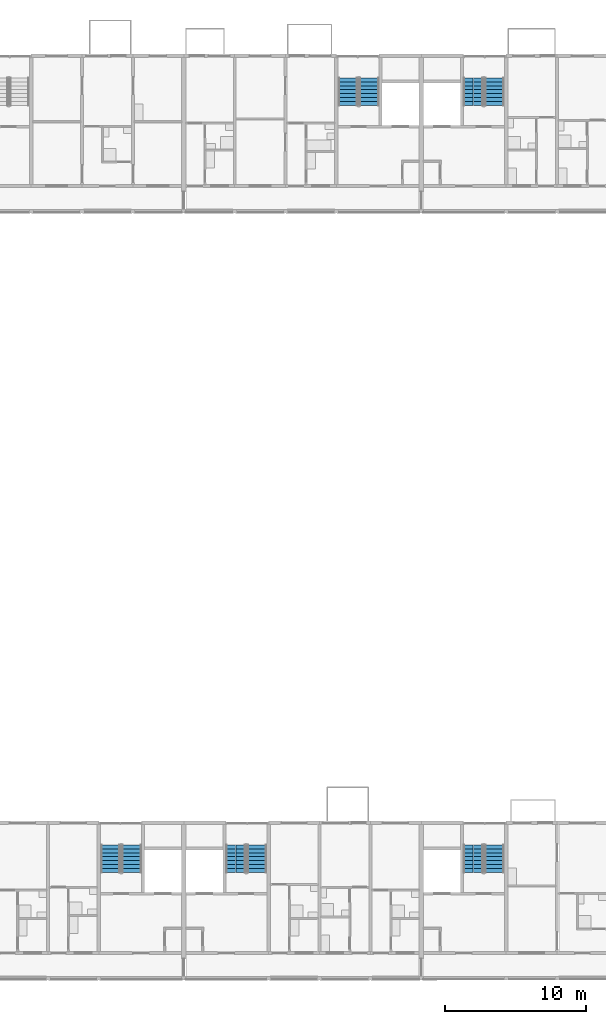
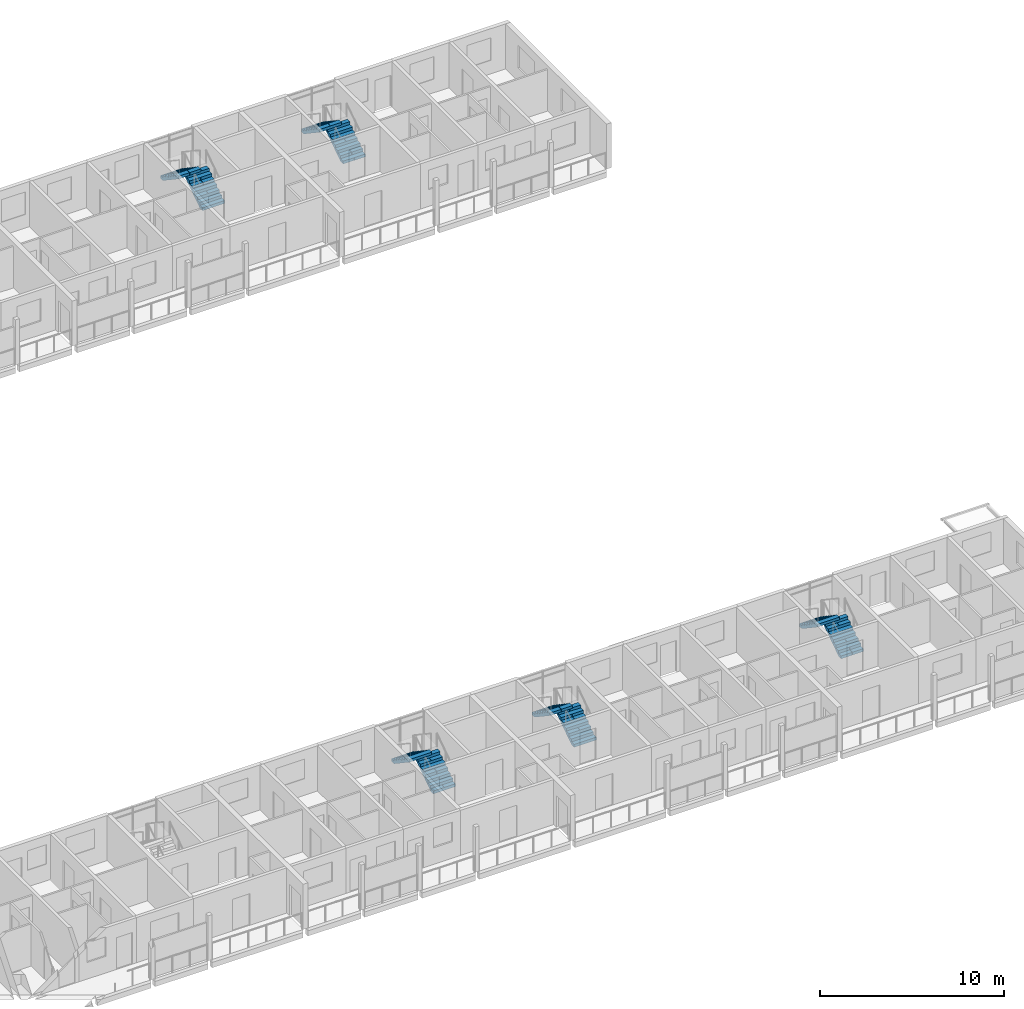
# One storey, part 63 of 93: 10 stair flights, 5 elements without a shape of their own.
"""IFC4 building model written with IfcOpenShell, lengths in metres."""

from ifc_helpers import new_model, si_unit, direction, frame, origin, place, context, subcontext, project, spatial, polyline, outline, extrude, material, type_object, element, aggregate, save


model = new_model("IFC4")

# Units and contexts
model_context = context("Model", 3, precision=1e-05, world=origin(), true_north=direction((0.0, 1.0)))
body_context = subcontext(model_context, "Body", "Model", "MODEL_VIEW")
ifc_project = project(units=[si_unit("LENGTHUNIT", "METRE"), si_unit("AREAUNIT", "SQUARE_METRE"), si_unit("VOLUMEUNIT", "CUBIC_METRE"), si_unit("PLANEANGLEUNIT", "RADIAN"), si_unit("MASSUNIT", "GRAM", prefix="KILO")], contexts=[model_context])

# Site, building, storey
site_placement = place(None, origin())
site = spatial("IfcSite", under=ifc_project, at=site_placement, CompositionType="ELEMENT")
building_placement = place(site_placement, origin())
building = spatial("IfcBuilding", under=site, at=building_placement, Name="Ridgestep Commons", CompositionType="ELEMENT")
storey_placement = place(building_placement, frame((0.0, 0.0, 18.0)))
storey = spatial("IfcBuildingStorey", under=building, at=storey_placement, Name="L06", CompositionType="ELEMENT", Elevation=18.0)

# Stair, stair flights
ifc_material_1 = material(Name="Precast concrete C40/50", Category="concrete")
stair_type = type_object("IfcStairType", Name="Escape stair 1400", PredefinedType="HALF_TURN_STAIR", material=ifc_material_1)
stair_1_placement = place(storey_placement, origin())
stair_1 = element("IfcStair", 1, at=stair_1_placement, inside=storey, type_object=stair_type, Name="L06 Escape stair C5C", PredefinedType="HALF_TURN_STAIR")
ifc_material_2 = material(Name="Precast concrete C40/50", Category="concrete")
stair_flight_type = type_object("IfcStairFlightType", Name="Stair flight 1400", PredefinedType="STRAIGHT", material=ifc_material_2)
stair_flight_1_placement = place(storey_placement, frame((227.125, 73.60009765625, 0.0), z_axis=(0.0, 0.0, 1.0), x_axis=(0.0, 1.0, 0.0)))
stair_flight_1 = element("IfcStairFlight", 2, at=stair_flight_1_placement, type_object=stair_flight_type, Name="C5C flight 1", NumberOfRisers=8, NumberOfTreads=7, PredefinedType="STRAIGHT", RiserHeight=0.1875, TreadLength=0.28, context=body_context, shape_type="SweptSolid", body=[
    extrude(outline(polyline([(0.0, 0.0), (0.0, 0.1875), (0.280029296875, 0.1875), (0.280029296875, 0.375), (0.56005859375, 0.375), (0.56005859375, 0.5625), (0.840087890625, 0.5625), (0.840087890625, 0.75), (1.1201171875, 0.75), (1.1201171875, 0.9375), (1.39990234375, 0.9375), (1.39990234375, 1.125), (1.679931640625, 1.125), (1.679931640625, 1.3125), (1.9599609375, 1.3125), (1.9599609375, 1.5), (1.9599609375, 1.132080078125), (0.26953125, 0.0), (0.0, 0.0)])), frame((0.0, 0.699951171875, 0.0), z_axis=(0.0, -1.0, 0.0), x_axis=(1.0, 0.0, 0.0)), (0.0, 0.0, 1.0), 0.695068359375),
    extrude(outline(polyline([(0.0, 0.0), (0.0, 0.1875), (0.280029296875, 0.1875), (0.280029296875, 0.375), (0.56005859375, 0.375), (0.56005859375, 0.5625), (0.840087890625, 0.5625), (0.840087890625, 0.75), (1.1201171875, 0.75), (1.1201171875, 0.9375), (1.39990234375, 0.9375), (1.39990234375, 1.125), (1.679931640625, 1.125), (1.679931640625, 1.3125), (1.9599609375, 1.3125), (1.9599609375, 1.5), (1.9599609375, 1.132080078125), (0.26953125, 0.0), (0.0, 0.0)])), frame((0.0, -0.0048828125, 0.0), z_axis=(0.0, -1.0, 0.0), x_axis=(1.0, 0.0, 0.0)), (0.0, 0.0, 1.0), 0.695068359375),
])
stair_flight_2_placement = place(storey_placement, frame((225.625, 75.56005859375, 1.5), z_axis=(0.0, 0.0, 1.0), x_axis=(0.0, -1.0, 0.0)))
stair_flight_2 = element("IfcStairFlight", 3, at=stair_flight_2_placement, type_object=stair_flight_type, Name="C5C flight 2", NumberOfRisers=8, NumberOfTreads=7, PredefinedType="STRAIGHT", RiserHeight=0.1875, TreadLength=0.28, context=body_context, shape_type="SweptSolid", body=[
    extrude(outline(polyline([(0.0, 0.0), (0.0, 0.1875), (0.280029296875, 0.1875), (0.280029296875, 0.375), (0.56005859375, 0.375), (0.56005859375, 0.5625), (0.840087890625, 0.5625), (0.840087890625, 0.75), (1.1201171875, 0.75), (1.1201171875, 0.9375), (1.39990234375, 0.9375), (1.39990234375, 1.125), (1.679931640625, 1.125), (1.679931640625, 1.3125), (1.9599609375, 1.3125), (1.9599609375, 1.5), (1.9599609375, 1.132080078125), (0.26953125, 0.0), (0.0, 0.0)])), frame((0.0, 0.699951171875, 0.0), z_axis=(0.0, -1.0, 0.0), x_axis=(1.0, 0.0, 0.0)), (0.0, 0.0, 1.0), 0.695068359375),
    extrude(outline(polyline([(0.0, 0.0), (0.0, 0.1875), (0.280029296875, 0.1875), (0.280029296875, 0.375), (0.56005859375, 0.375), (0.56005859375, 0.5625), (0.840087890625, 0.5625), (0.840087890625, 0.75), (1.1201171875, 0.75), (1.1201171875, 0.9375), (1.39990234375, 0.9375), (1.39990234375, 1.125), (1.679931640625, 1.125), (1.679931640625, 1.3125), (1.9599609375, 1.3125), (1.9599609375, 1.5), (1.9599609375, 1.132080078125), (0.26953125, 0.0), (0.0, 0.0)])), frame((0.0, -0.0048828125, 0.0), z_axis=(0.0, -1.0, 0.0), x_axis=(1.0, 0.0, 0.0)), (0.0, 0.0, 1.0), 0.695068359375),
])
aggregate(stair_1, [stair_flight_1, stair_flight_2])

stair_2_placement = place(storey_placement, origin())
stair_2 = element("IfcStair", 4, at=stair_2_placement, inside=storey, type_object=stair_type, Name="L06 Escape stair C6C", PredefinedType="HALF_TURN_STAIR")
stair_flight_3_placement = place(storey_placement, frame((235.97509765625, 73.60009765625, 0.0), z_axis=(0.0, 0.0, 1.0), x_axis=(0.0, 1.0, 0.0)))
stair_flight_3 = element("IfcStairFlight", 5, at=stair_flight_3_placement, type_object=stair_flight_type, Name="C6C flight 1", NumberOfRisers=8, NumberOfTreads=7, PredefinedType="STRAIGHT", RiserHeight=0.1875, TreadLength=0.28, context=body_context, shape_type="SweptSolid", body=[
    extrude(outline(polyline([(0.0, 0.0), (0.0, 0.1875), (0.280029296875, 0.1875), (0.280029296875, 0.375), (0.56005859375, 0.375), (0.56005859375, 0.5625), (0.840087890625, 0.5625), (0.840087890625, 0.75), (1.1201171875, 0.75), (1.1201171875, 0.9375), (1.39990234375, 0.9375), (1.39990234375, 1.125), (1.679931640625, 1.125), (1.679931640625, 1.3125), (1.9599609375, 1.3125), (1.9599609375, 1.5), (1.9599609375, 1.132080078125), (0.26953125, 0.0), (0.0, 0.0)])), frame((0.0, 0.699951171875, 0.0), z_axis=(0.0, -1.0, 0.0), x_axis=(1.0, 0.0, 0.0)), (0.0, 0.0, 1.0), 0.695068359375),
    extrude(outline(polyline([(0.0, 0.0), (0.0, 0.1875), (0.280029296875, 0.1875), (0.280029296875, 0.375), (0.56005859375, 0.375), (0.56005859375, 0.5625), (0.840087890625, 0.5625), (0.840087890625, 0.75), (1.1201171875, 0.75), (1.1201171875, 0.9375), (1.39990234375, 0.9375), (1.39990234375, 1.125), (1.679931640625, 1.125), (1.679931640625, 1.3125), (1.9599609375, 1.3125), (1.9599609375, 1.5), (1.9599609375, 1.132080078125), (0.26953125, 0.0), (0.0, 0.0)])), frame((0.0, -0.0048828125, 0.0), z_axis=(0.0, -1.0, 0.0), x_axis=(1.0, 0.0, 0.0)), (0.0, 0.0, 1.0), 0.695068359375),
])
stair_flight_4_placement = place(storey_placement, frame((234.47509765625, 75.56005859375, 1.5), z_axis=(0.0, 0.0, 1.0), x_axis=(0.0, -1.0, 0.0)))
stair_flight_4 = element("IfcStairFlight", 6, at=stair_flight_4_placement, type_object=stair_flight_type, Name="C6C flight 2", NumberOfRisers=8, NumberOfTreads=7, PredefinedType="STRAIGHT", RiserHeight=0.1875, TreadLength=0.28, context=body_context, shape_type="SweptSolid", body=[
    extrude(outline(polyline([(0.0, 0.0), (0.0, 0.1875), (0.280029296875, 0.1875), (0.280029296875, 0.375), (0.56005859375, 0.375), (0.56005859375, 0.5625), (0.840087890625, 0.5625), (0.840087890625, 0.75), (1.1201171875, 0.75), (1.1201171875, 0.9375), (1.39990234375, 0.9375), (1.39990234375, 1.125), (1.679931640625, 1.125), (1.679931640625, 1.3125), (1.9599609375, 1.3125), (1.9599609375, 1.5), (1.9599609375, 1.132080078125), (0.26953125, 0.0), (0.0, 0.0)])), frame((0.0, 0.699951171875, 0.0), z_axis=(0.0, -1.0, 0.0), x_axis=(1.0, 0.0, 0.0)), (0.0, 0.0, 1.0), 0.695068359375),
    extrude(outline(polyline([(0.0, 0.0), (0.0, 0.1875), (0.280029296875, 0.1875), (0.280029296875, 0.375), (0.56005859375, 0.375), (0.56005859375, 0.5625), (0.840087890625, 0.5625), (0.840087890625, 0.75), (1.1201171875, 0.75), (1.1201171875, 0.9375), (1.39990234375, 0.9375), (1.39990234375, 1.125), (1.679931640625, 1.125), (1.679931640625, 1.3125), (1.9599609375, 1.3125), (1.9599609375, 1.5), (1.9599609375, 1.132080078125), (0.26953125, 0.0), (0.0, 0.0)])), frame((0.0, -0.0048828125, 0.0), z_axis=(0.0, -1.0, 0.0), x_axis=(1.0, 0.0, 0.0)), (0.0, 0.0, 1.0), 0.695068359375),
])
aggregate(stair_2, [stair_flight_3, stair_flight_4])

stair_3_placement = place(storey_placement, origin())
stair_3 = element("IfcStair", 7, at=stair_3_placement, inside=storey, type_object=stair_type, Name="L06 Escape stair D4C", PredefinedType="HALF_TURN_STAIR")
stair_flight_5_placement = place(storey_placement, frame((210.324951171875, 19.35009765625, 0.0), z_axis=(0.0, 0.0, 1.0), x_axis=(0.0, 1.0, 0.0)))
stair_flight_5 = element("IfcStairFlight", 8, at=stair_flight_5_placement, type_object=stair_flight_type, Name="D4C flight 1", NumberOfRisers=8, NumberOfTreads=7, PredefinedType="STRAIGHT", RiserHeight=0.1875, TreadLength=0.28, context=body_context, shape_type="SweptSolid", body=[
    extrude(outline(polyline([(0.0, 0.0), (0.0, 0.1875), (0.280029296875, 0.1875), (0.280029296875, 0.375), (0.56005859375, 0.375), (0.56005859375, 0.5625), (0.840087890625, 0.5625), (0.840087890625, 0.75), (1.1201171875, 0.75), (1.1201171875, 0.9375), (1.39990234375, 0.9375), (1.39990234375, 1.125), (1.679931640625, 1.125), (1.679931640625, 1.3125), (1.9599609375, 1.3125), (1.9599609375, 1.5), (1.9599609375, 1.132080078125), (0.26953125, 0.0), (0.0, 0.0)])), frame((0.0, 0.699951171875, 0.0), z_axis=(0.0, -1.0, 0.0), x_axis=(1.0, 0.0, 0.0)), (0.0, 0.0, 1.0), 0.695068359375),
    extrude(outline(polyline([(0.0, 0.0), (0.0, 0.1875), (0.280029296875, 0.1875), (0.280029296875, 0.375), (0.56005859375, 0.375), (0.56005859375, 0.5625), (0.840087890625, 0.5625), (0.840087890625, 0.75), (1.1201171875, 0.75), (1.1201171875, 0.9375), (1.39990234375, 0.9375), (1.39990234375, 1.125), (1.679931640625, 1.125), (1.679931640625, 1.3125), (1.9599609375, 1.3125), (1.9599609375, 1.5), (1.9599609375, 1.132080078125), (0.26953125, 0.0), (0.0, 0.0)])), frame((0.0, -0.0048828125, 0.0), z_axis=(0.0, -1.0, 0.0), x_axis=(1.0, 0.0, 0.0)), (0.0, 0.0, 1.0), 0.695068359375),
])
stair_flight_6_placement = place(storey_placement, frame((208.824951171875, 21.31005859375, 1.5), z_axis=(0.0, 0.0, 1.0), x_axis=(0.0, -1.0, 0.0)))
stair_flight_6 = element("IfcStairFlight", 9, at=stair_flight_6_placement, type_object=stair_flight_type, Name="D4C flight 2", NumberOfRisers=8, NumberOfTreads=7, PredefinedType="STRAIGHT", RiserHeight=0.1875, TreadLength=0.28, context=body_context, shape_type="SweptSolid", body=[
    extrude(outline(polyline([(0.0, 0.0), (0.0, 0.1875), (0.280029296875, 0.1875), (0.280029296875, 0.375), (0.56005859375, 0.375), (0.56005859375, 0.5625), (0.840087890625, 0.5625), (0.840087890625, 0.75), (1.1201171875, 0.75), (1.1201171875, 0.9375), (1.39990234375, 0.9375), (1.39990234375, 1.125), (1.679931640625, 1.125), (1.679931640625, 1.3125), (1.9599609375, 1.3125), (1.9599609375, 1.5), (1.9599609375, 1.132080078125), (0.26953125, 0.0), (0.0, 0.0)])), frame((0.0, 0.699951171875, 0.0), z_axis=(0.0, -1.0, 0.0), x_axis=(1.0, 0.0, 0.0)), (0.0, 0.0, 1.0), 0.695068359375),
    extrude(outline(polyline([(0.0, 0.0), (0.0, 0.1875), (0.280029296875, 0.1875), (0.280029296875, 0.375), (0.56005859375, 0.375), (0.56005859375, 0.5625), (0.840087890625, 0.5625), (0.840087890625, 0.75), (1.1201171875, 0.75), (1.1201171875, 0.9375), (1.39990234375, 0.9375), (1.39990234375, 1.125), (1.679931640625, 1.125), (1.679931640625, 1.3125), (1.9599609375, 1.3125), (1.9599609375, 1.5), (1.9599609375, 1.132080078125), (0.26953125, 0.0), (0.0, 0.0)])), frame((0.0, -0.0048828125, 0.0), z_axis=(0.0, -1.0, 0.0), x_axis=(1.0, 0.0, 0.0)), (0.0, 0.0, 1.0), 0.695068359375),
])
aggregate(stair_3, [stair_flight_5, stair_flight_6])

stair_4_placement = place(storey_placement, origin())
stair_4 = element("IfcStair", 10, at=stair_4_placement, inside=storey, type_object=stair_type, Name="L06 Escape stair D5C", PredefinedType="HALF_TURN_STAIR")
stair_flight_7_placement = place(storey_placement, frame((219.175048828125, 19.35009765625, 0.0), z_axis=(0.0, 0.0, 1.0), x_axis=(0.0, 1.0, 0.0)))
stair_flight_7 = element("IfcStairFlight", 11, at=stair_flight_7_placement, type_object=stair_flight_type, Name="D5C flight 1", NumberOfRisers=8, NumberOfTreads=7, PredefinedType="STRAIGHT", RiserHeight=0.1875, TreadLength=0.28, context=body_context, shape_type="SweptSolid", body=[
    extrude(outline(polyline([(0.0, 0.0), (0.0, 0.1875), (0.280029296875, 0.1875), (0.280029296875, 0.375), (0.56005859375, 0.375), (0.56005859375, 0.5625), (0.840087890625, 0.5625), (0.840087890625, 0.75), (1.1201171875, 0.75), (1.1201171875, 0.9375), (1.39990234375, 0.9375), (1.39990234375, 1.125), (1.679931640625, 1.125), (1.679931640625, 1.3125), (1.9599609375, 1.3125), (1.9599609375, 1.5), (1.9599609375, 1.132080078125), (0.26953125, 0.0), (0.0, 0.0)])), frame((0.0, 0.699951171875, 0.0), z_axis=(0.0, -1.0, 0.0), x_axis=(1.0, 0.0, 0.0)), (0.0, 0.0, 1.0), 0.695068359375),
    extrude(outline(polyline([(0.0, 0.0), (0.0, 0.1875), (0.280029296875, 0.1875), (0.280029296875, 0.375), (0.56005859375, 0.375), (0.56005859375, 0.5625), (0.840087890625, 0.5625), (0.840087890625, 0.75), (1.1201171875, 0.75), (1.1201171875, 0.9375), (1.39990234375, 0.9375), (1.39990234375, 1.125), (1.679931640625, 1.125), (1.679931640625, 1.3125), (1.9599609375, 1.3125), (1.9599609375, 1.5), (1.9599609375, 1.132080078125), (0.26953125, 0.0), (0.0, 0.0)])), frame((0.0, -0.0048828125, 0.0), z_axis=(0.0, -1.0, 0.0), x_axis=(1.0, 0.0, 0.0)), (0.0, 0.0, 1.0), 0.695068359375),
])
stair_flight_8_placement = place(storey_placement, frame((217.675048828125, 21.31005859375, 1.5), z_axis=(0.0, 0.0, 1.0), x_axis=(0.0, -1.0, 0.0)))
stair_flight_8 = element("IfcStairFlight", 12, at=stair_flight_8_placement, type_object=stair_flight_type, Name="D5C flight 2", NumberOfRisers=8, NumberOfTreads=7, PredefinedType="STRAIGHT", RiserHeight=0.1875, TreadLength=0.28, context=body_context, shape_type="SweptSolid", body=[
    extrude(outline(polyline([(0.0, 0.0), (0.0, 0.1875), (0.280029296875, 0.1875), (0.280029296875, 0.375), (0.56005859375, 0.375), (0.56005859375, 0.5625), (0.840087890625, 0.5625), (0.840087890625, 0.75), (1.1201171875, 0.75), (1.1201171875, 0.9375), (1.39990234375, 0.9375), (1.39990234375, 1.125), (1.679931640625, 1.125), (1.679931640625, 1.3125), (1.9599609375, 1.3125), (1.9599609375, 1.5), (1.9599609375, 1.132080078125), (0.26953125, 0.0), (0.0, 0.0)])), frame((0.0, 0.699951171875, 0.0), z_axis=(0.0, -1.0, 0.0), x_axis=(1.0, 0.0, 0.0)), (0.0, 0.0, 1.0), 0.695068359375),
    extrude(outline(polyline([(0.0, 0.0), (0.0, 0.1875), (0.280029296875, 0.1875), (0.280029296875, 0.375), (0.56005859375, 0.375), (0.56005859375, 0.5625), (0.840087890625, 0.5625), (0.840087890625, 0.75), (1.1201171875, 0.75), (1.1201171875, 0.9375), (1.39990234375, 0.9375), (1.39990234375, 1.125), (1.679931640625, 1.125), (1.679931640625, 1.3125), (1.9599609375, 1.3125), (1.9599609375, 1.5), (1.9599609375, 1.132080078125), (0.26953125, 0.0), (0.0, 0.0)])), frame((0.0, -0.0048828125, 0.0), z_axis=(0.0, -1.0, 0.0), x_axis=(1.0, 0.0, 0.0)), (0.0, 0.0, 1.0), 0.695068359375),
])
aggregate(stair_4, [stair_flight_7, stair_flight_8])

stair_5_placement = place(storey_placement, origin())
stair_5 = element("IfcStair", 13, at=stair_5_placement, inside=storey, type_object=stair_type, Name="L06 Escape stair D6C", PredefinedType="HALF_TURN_STAIR")
stair_flight_9_placement = place(storey_placement, frame((235.97509765625, 19.35009765625, 0.0), z_axis=(0.0, 0.0, 1.0), x_axis=(0.0, 1.0, 0.0)))
stair_flight_9 = element("IfcStairFlight", 14, at=stair_flight_9_placement, type_object=stair_flight_type, Name="D6C flight 1", NumberOfRisers=8, NumberOfTreads=7, PredefinedType="STRAIGHT", RiserHeight=0.1875, TreadLength=0.28, context=body_context, shape_type="SweptSolid", body=[
    extrude(outline(polyline([(0.0, 0.0), (0.0, 0.1875), (0.280029296875, 0.1875), (0.280029296875, 0.375), (0.56005859375, 0.375), (0.56005859375, 0.5625), (0.840087890625, 0.5625), (0.840087890625, 0.75), (1.1201171875, 0.75), (1.1201171875, 0.9375), (1.39990234375, 0.9375), (1.39990234375, 1.125), (1.679931640625, 1.125), (1.679931640625, 1.3125), (1.9599609375, 1.3125), (1.9599609375, 1.5), (1.9599609375, 1.132080078125), (0.26953125, 0.0), (0.0, 0.0)])), frame((0.0, 0.699951171875, 0.0), z_axis=(0.0, -1.0, 0.0), x_axis=(1.0, 0.0, 0.0)), (0.0, 0.0, 1.0), 0.695068359375),
    extrude(outline(polyline([(0.0, 0.0), (0.0, 0.1875), (0.280029296875, 0.1875), (0.280029296875, 0.375), (0.56005859375, 0.375), (0.56005859375, 0.5625), (0.840087890625, 0.5625), (0.840087890625, 0.75), (1.1201171875, 0.75), (1.1201171875, 0.9375), (1.39990234375, 0.9375), (1.39990234375, 1.125), (1.679931640625, 1.125), (1.679931640625, 1.3125), (1.9599609375, 1.3125), (1.9599609375, 1.5), (1.9599609375, 1.132080078125), (0.26953125, 0.0), (0.0, 0.0)])), frame((0.0, -0.0048828125, 0.0), z_axis=(0.0, -1.0, 0.0), x_axis=(1.0, 0.0, 0.0)), (0.0, 0.0, 1.0), 0.695068359375),
])
stair_flight_10_placement = place(storey_placement, frame((234.47509765625, 21.31005859375, 1.5), z_axis=(0.0, 0.0, 1.0), x_axis=(0.0, -1.0, 0.0)))
stair_flight_10 = element("IfcStairFlight", 15, at=stair_flight_10_placement, type_object=stair_flight_type, Name="D6C flight 2", NumberOfRisers=8, NumberOfTreads=7, PredefinedType="STRAIGHT", RiserHeight=0.1875, TreadLength=0.28, context=body_context, shape_type="SweptSolid", body=[
    extrude(outline(polyline([(0.0, 0.0), (0.0, 0.1875), (0.280029296875, 0.1875), (0.280029296875, 0.375), (0.56005859375, 0.375), (0.56005859375, 0.5625), (0.840087890625, 0.5625), (0.840087890625, 0.75), (1.1201171875, 0.75), (1.1201171875, 0.9375), (1.39990234375, 0.9375), (1.39990234375, 1.125), (1.679931640625, 1.125), (1.679931640625, 1.3125), (1.9599609375, 1.3125), (1.9599609375, 1.5), (1.9599609375, 1.132080078125), (0.26953125, 0.0), (0.0, 0.0)])), frame((0.0, 0.699951171875, 0.0), z_axis=(0.0, -1.0, 0.0), x_axis=(1.0, 0.0, 0.0)), (0.0, 0.0, 1.0), 0.695068359375),
    extrude(outline(polyline([(0.0, 0.0), (0.0, 0.1875), (0.280029296875, 0.1875), (0.280029296875, 0.375), (0.56005859375, 0.375), (0.56005859375, 0.5625), (0.840087890625, 0.5625), (0.840087890625, 0.75), (1.1201171875, 0.75), (1.1201171875, 0.9375), (1.39990234375, 0.9375), (1.39990234375, 1.125), (1.679931640625, 1.125), (1.679931640625, 1.3125), (1.9599609375, 1.3125), (1.9599609375, 1.5), (1.9599609375, 1.132080078125), (0.26953125, 0.0), (0.0, 0.0)])), frame((0.0, -0.0048828125, 0.0), z_axis=(0.0, -1.0, 0.0), x_axis=(1.0, 0.0, 0.0)), (0.0, 0.0, 1.0), 0.695068359375),
])
aggregate(stair_5, [stair_flight_9, stair_flight_10])

save(model, "model.ifc")
